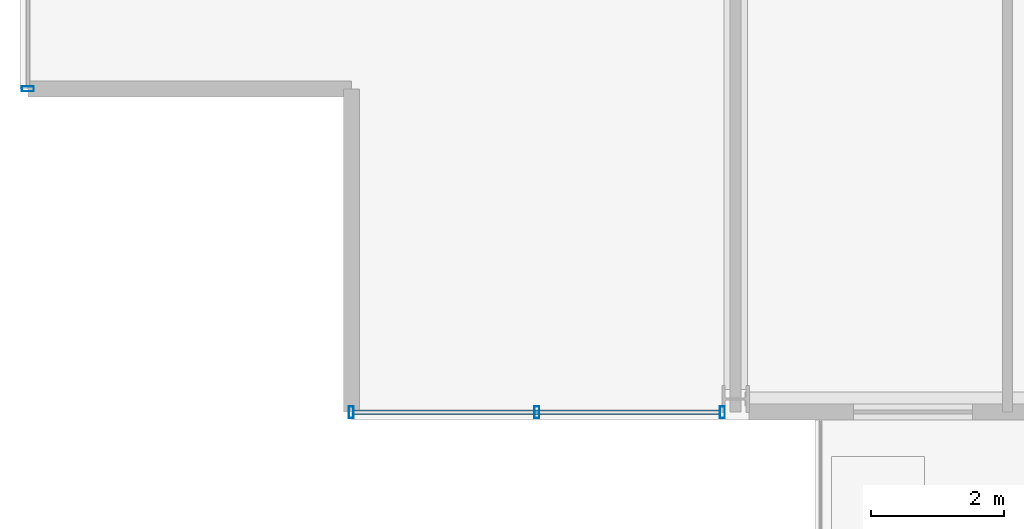
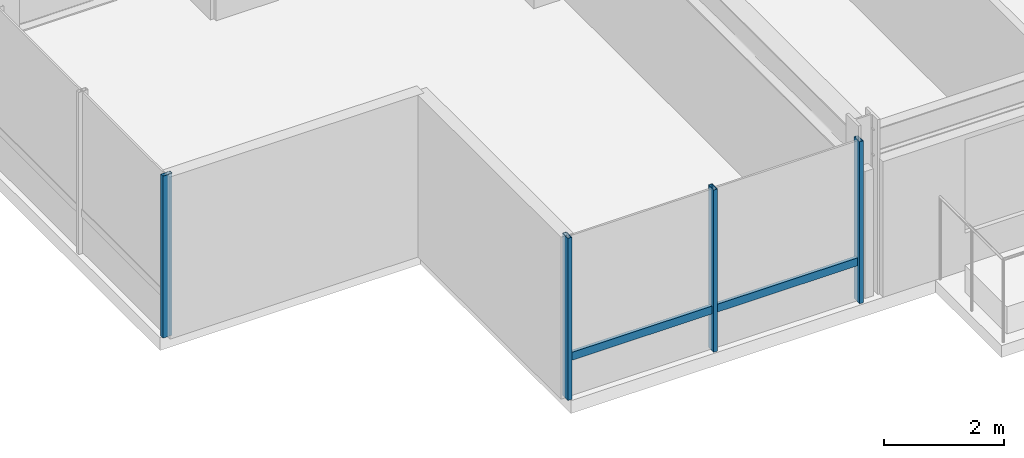
# One storey, part 2 of 33: 5 members, 2 elements without a shape of their own.
"""IFC4 building model written with IfcOpenShell, lengths in metres."""

from ifc_helpers import new_model, si_unit, direction, frame, origin, origin_2d, place, context, subcontext, project, spatial, hollow_rectangle, extrude, material, layer, layer_set, material_profile, profile_set, type_object, element, aggregate, save


model = new_model("IFC4")

# Units and contexts
model_context = context("Model", 3, precision=1e-05, world=origin(), true_north=direction((0.0, 1.0)))
body_context = subcontext(model_context, "Body", "Model", "MODEL_VIEW")
ifc_project = project(units=[si_unit("LENGTHUNIT", "METRE"), si_unit("AREAUNIT", "SQUARE_METRE"), si_unit("VOLUMEUNIT", "CUBIC_METRE"), si_unit("PLANEANGLEUNIT", "RADIAN"), si_unit("MASSUNIT", "GRAM", prefix="KILO")], contexts=[model_context])

# Site, building, storey
site_placement = place(None, origin())
site = spatial("IfcSite", under=ifc_project, at=site_placement, CompositionType="ELEMENT")
building_placement = place(site_placement, origin())
building = spatial("IfcBuilding", under=site, at=building_placement, Name="Drelvath Grand Hotel", CompositionType="ELEMENT")
storey_placement = place(building_placement, frame((0.0, 0.0, 153.949951171875)))
storey = spatial("IfcBuildingStorey", under=building, at=storey_placement, Name="L39", CompositionType="ELEMENT", Elevation=153.949951171875)

# Curtain wall, member
ifc_material = material(Name="Brushed Pale-Silver Anodised Aluminium Frame", Category="aluminium")
ifc_layer = layer(ifc_material, 0.199951171875)
ifc_layer_set = layer_set([ifc_layer], Name="Brushed Pale-Silver Anodised Aluminium Frame")
curtain_wall_type = type_object("IfcCurtainWallType", Name="Stick Curtain Wall CW-04 Brushed Silver Upper-Mid", PredefinedType="NOTDEFINED", material=ifc_layer_set)
curtain_wall_1_placement = place(storey_placement, origin())
curtain_wall_1 = element("IfcCurtainWall", 1, at=curtain_wall_1_placement, inside=storey, type_object=curtain_wall_type, Name="L39 CW-04 Curtain Wall CW04-L39-SW1", PredefinedType="NOTDEFINED")
ifc_material_profile_1 = material_profile(ifc_material, hollow_rectangle(XDim=0.06494140625, YDim=0.159912109375, WallThickness=0.00390625, at=origin_2d()), Name="HSS160X65X4")
ifc_profile_set_1 = profile_set([ifc_material_profile_1], Name="Brushed Pale-Silver Anodised Aluminium Frame")
member_type_1 = type_object("IfcMemberType", Name="Curtain Wall Horizontal Transom CW-04 HSS160X65X4", PredefinedType="USERDEFINED", material=ifc_profile_set_1)
member_1_placement = place(storey_placement, frame((-16.440185546875, 0.1201171875, 0.822509765625), z_axis=(-1.0, 0.0, 0.0), x_axis=(0.0, -1.0, 0.0)))
member_1 = element("IfcMember", 2, at=member_1_placement, type_object=member_type_1, Name="CW04-L39-SW1 Sill Transom", ObjectType="TRANSOM", PredefinedType="USERDEFINED", context=body_context, shape_type="SweptSolid", body=[
    extrude(hollow_rectangle(XDim=0.06494140625, YDim=0.159912109375, WallThickness=0.00390625, at=origin_2d()), origin(), (0.0, 0.0, 1.0), 5.519775390625),
])

curtain_wall_2_placement = place(storey_placement, origin())
curtain_wall_2 = element("IfcCurtainWall", 3, at=curtain_wall_2_placement, inside=storey, type_object=curtain_wall_type, Name="L39 CW-04 Curtain Wall CW04-L39-WS1", PredefinedType="NOTDEFINED")
ifc_material_profile_2 = material_profile(ifc_material, hollow_rectangle(XDim=0.074951171875, YDim=0.179931640625, WallThickness=0.0048828125, at=origin_2d()), Name="HSS180X75X5")
ifc_profile_set_2 = profile_set([ifc_material_profile_2], Name="Brushed Pale-Silver Anodised Aluminium Frame")
member_type_2 = type_object("IfcMemberType", Name="Curtain Wall Vertical Mullion CW-04 HSS180X75X5", PredefinedType="MULLION", material=ifc_profile_set_2)
member_2_placement = place(storey_placement, frame((-26.8798828125, 5.0, 0.0), z_axis=(0.0, 0.0, 1.0), x_axis=(0.0, 1.0, 0.0)))
member_2 = element("IfcMember", 4, at=member_2_placement, type_object=member_type_2, Name="CW04-L39-WS1 Mullion 1", PredefinedType="MULLION", context=body_context, shape_type="SweptSolid", body=[
    extrude(hollow_rectangle(XDim=0.074951171875, YDim=0.179931640625, WallThickness=0.0048828125, at=origin_2d()), origin(), (0.0, 0.0, 1.0), 3.2900390625),
])
aggregate(curtain_wall_2, [member_2])

# Member
member_3_placement = place(storey_placement, frame((-16.400146484375, 0.1201171875, 0.0), z_axis=(0.0, 0.0, 1.0), x_axis=(1.0, 0.0, 0.0)))
member_3 = element("IfcMember", 5, at=member_3_placement, type_object=member_type_2, Name="CW04-L39-SW1 Mullion 1", PredefinedType="MULLION", context=body_context, shape_type="SweptSolid", body=[
    extrude(hollow_rectangle(XDim=0.074951171875, YDim=0.179931640625, WallThickness=0.0048828125, at=origin_2d()), origin(), (0.0, 0.0, 1.0), 3.2900390625),
])

member_4_placement = place(storey_placement, frame((-19.199951171875, 0.1201171875, 0.0), z_axis=(0.0, 0.0, 1.0), x_axis=(1.0, 0.0, 0.0)))
member_4 = element("IfcMember", 6, at=member_4_placement, type_object=member_type_2, Name="CW04-L39-SW1 Mullion 2", PredefinedType="MULLION", context=body_context, shape_type="SweptSolid", body=[
    extrude(hollow_rectangle(XDim=0.074951171875, YDim=0.179931640625, WallThickness=0.0048828125, at=origin_2d()), origin(), (0.0, 0.0, 1.0), 3.2900390625),
])

member_5_placement = place(storey_placement, frame((-22.0, 0.1201171875, 0.0), z_axis=(0.0, 0.0, 1.0), x_axis=(1.0, 0.0, 0.0)))
member_5 = element("IfcMember", 7, at=member_5_placement, type_object=member_type_2, Name="CW04-L39-SW1 Mullion 3", PredefinedType="MULLION", context=body_context, shape_type="SweptSolid", body=[
    extrude(hollow_rectangle(XDim=0.074951171875, YDim=0.179931640625, WallThickness=0.0048828125, at=origin_2d()), origin(), (0.0, 0.0, 1.0), 3.2900390625),
])

aggregate(curtain_wall_1, [member_3, member_4, member_5, member_1])

save(model, "model.ifc")
